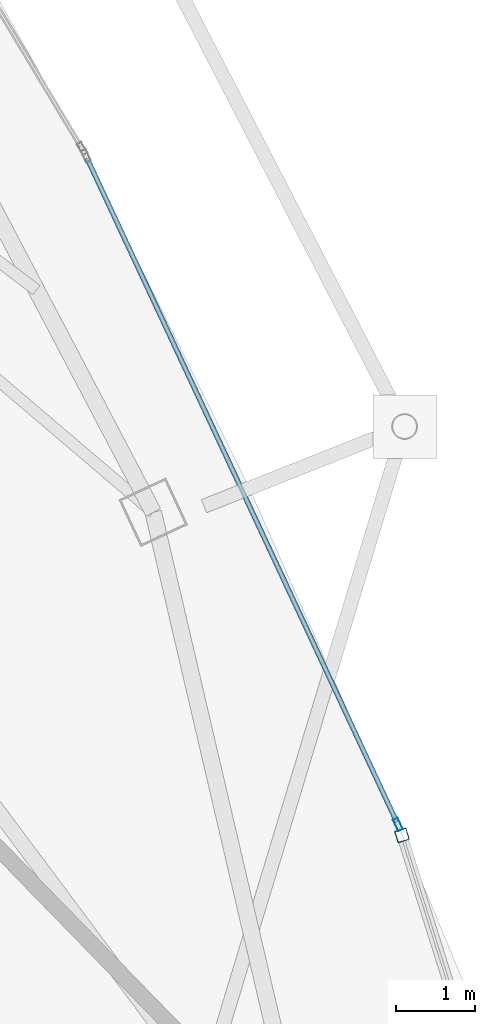
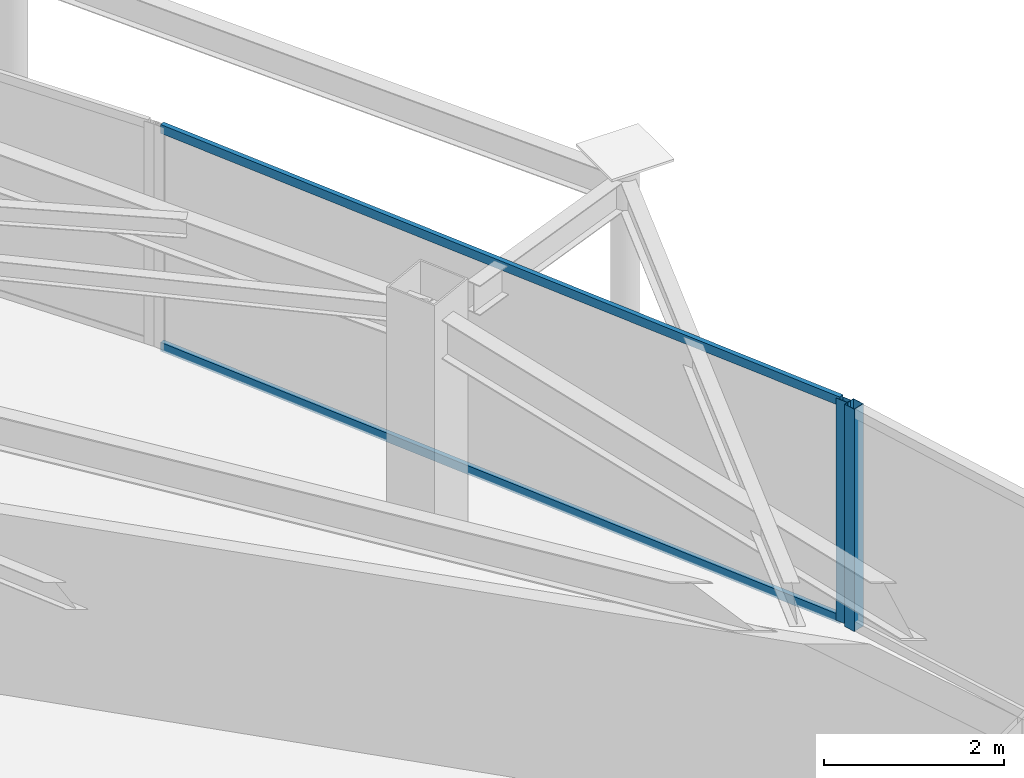
# One storey, part 16 of 30: 4 members, 2 elements without a shape of their own.
"""IFC4 building model written with IfcOpenShell, lengths in metres."""

from ifc_helpers import new_model, si_unit, direction, frame, origin, origin_2d, place, context, subcontext, project, spatial, hollow_rectangle, extrude, material, layer, layer_set, material_profile, profile_set, type_object, element, aggregate, save


model = new_model("IFC4")

# Units and contexts
model_context = context("Model", 3, precision=1e-05, world=origin(), true_north=direction((0.0, 1.0)))
body_context = subcontext(model_context, "Body", "Model", "MODEL_VIEW")
ifc_project = project(units=[si_unit("LENGTHUNIT", "METRE"), si_unit("AREAUNIT", "SQUARE_METRE"), si_unit("VOLUMEUNIT", "CUBIC_METRE"), si_unit("PLANEANGLEUNIT", "RADIAN"), si_unit("MASSUNIT", "GRAM", prefix="KILO")], contexts=[model_context])

# Site, building, storey
site_placement = place(None, origin())
site = spatial("IfcSite", under=ifc_project, at=site_placement, CompositionType="ELEMENT")
building_placement = place(site_placement, origin())
building = spatial("IfcBuilding", under=site, at=building_placement, Name="Orvanel Arch Residences", CompositionType="ELEMENT")
storey_placement = place(building_placement, frame((0.0, 0.0, 273.35009765625)))
storey = spatial("IfcBuildingStorey", under=building, at=storey_placement, Name="L78", CompositionType="ELEMENT", Elevation=273.35009765625)

# Curtain wall, member
ifc_material = material(Name="Bronze-anodised aluminium AA6063-T6", Category="aluminium")
ifc_layer_1 = layer(ifc_material, 0.18994140625)
ifc_layer_set_1 = layer_set([ifc_layer_1], Name="Bronze-anodised aluminium AA6063-T6")
curtain_wall_type_1 = type_object("IfcCurtainWallType", Name="CW5-CRN-SYS", PredefinedType="NOTDEFINED", material=ifc_layer_set_1)
curtain_wall_1_placement = place(storey_placement, origin())
curtain_wall_1 = element("IfcCurtainWall", 1, at=curtain_wall_1_placement, inside=storey, type_object=curtain_wall_type_1, Name="L78 CW5-CRN-SYS Unitised Curtain Wall", PredefinedType="NOTDEFINED")
ifc_material_profile_1 = material_profile(ifc_material, hollow_rectangle(XDim=0.14990234375, YDim=0.14990234375, WallThickness=0.0048828125, at=origin_2d()), Name="ALU150x150x5")
ifc_profile_set_1 = profile_set([ifc_material_profile_1], Name="Bronze-anodised aluminium AA6063-T6")
member_type_1 = type_object("IfcMemberType", Name="MUL-150x150", PredefinedType="MULLION", material=ifc_profile_set_1)
member_1_placement = place(storey_placement, frame((52.765625, 15.572509765625, 0.0), z_axis=(0.0, 0.0, 1.0), x_axis=(-0.953722136358, -0.300689352356, 0.0)))
member_1 = element("IfcMember", 2, at=member_1_placement, type_object=member_type_1, Name="CW-S5 mullion 2", PredefinedType="MULLION", context=body_context, shape_type="SweptSolid", body=[
    extrude(hollow_rectangle(XDim=0.14990234375, YDim=0.14990234375, WallThickness=0.0048828125, at=origin_2d()), origin(), (0.0, 0.0, 1.0), 3.02001953125),
])
aggregate(curtain_wall_1, [member_1])

# Curtain wall, members
ifc_layer_2 = layer(ifc_material, 0.175048828125)
ifc_layer_set_2 = layer_set([ifc_layer_2], Name="Bronze-anodised aluminium AA6063-T6")
curtain_wall_type_2 = type_object("IfcCurtainWallType", Name="CW4-HI-SYS", PredefinedType="NOTDEFINED", material=ifc_layer_set_2)
curtain_wall_2_placement = place(storey_placement, origin())
curtain_wall_2 = element("IfcCurtainWall", 3, at=curtain_wall_2_placement, inside=storey, type_object=curtain_wall_type_2, Name="L78 CW4-HI-SYS Unitised Curtain Wall", PredefinedType="NOTDEFINED")
ifc_material_profile_2 = material_profile(ifc_material, hollow_rectangle(XDim=0.06494140625, YDim=0.159912109375, WallThickness=0.00390625, at=origin_2d()), Name="ALU160x65x4")
ifc_profile_set_2 = profile_set([ifc_material_profile_2], Name="Bronze-anodised aluminium AA6063-T6")
member_type_2 = type_object("IfcMemberType", Name="MUL-160x65", PredefinedType="MULLION", material=ifc_profile_set_2)
member_2_placement = place(storey_placement, frame((52.71533203125, 15.71044921875, 0.0), z_axis=(0.0, 0.0, 1.0), x_axis=(-0.906196789885, -0.422856214336, 0.0)))
member_2 = element("IfcMember", 4, at=member_2_placement, type_object=member_type_2, Name="CW-S4 mullion 1", PredefinedType="MULLION", context=body_context, shape_type="SweptSolid", body=[
    extrude(hollow_rectangle(XDim=0.06494140625, YDim=0.159912109375, WallThickness=0.00390625, at=origin_2d()), origin(), (0.0, 0.0, 1.0), 3.02001953125),
])
ifc_material_profile_3 = material_profile(ifc_material, hollow_rectangle(XDim=0.06005859375, YDim=0.1201171875, WallThickness=0.00341796875, at=origin_2d()), Name="ALU120x60x3.5")
ifc_profile_set_3 = profile_set([ifc_material_profile_3], Name="Bronze-anodised aluminium AA6063-T6")
member_type_3 = type_object("IfcMemberType", Name="TRN-120x60", PredefinedType="USERDEFINED", material=ifc_profile_set_3)
member_3_placement = place(storey_placement, frame((52.701416015625, 15.739990234375, 0.02978515625), z_axis=(-0.422846357809, 0.906201389145, 0.0), x_axis=(-0.906201389145, -0.422846357809, 0.0)))
member_3 = element("IfcMember", 5, at=member_3_placement, type_object=member_type_3, Name="CW-S4 transom 1.1", ObjectType="TRANSOM", PredefinedType="USERDEFINED", context=body_context, shape_type="SweptSolid", body=[
    extrude(hollow_rectangle(XDim=0.06005859375, YDim=0.1201171875, WallThickness=0.00341796875, at=origin_2d()), origin(), (0.0, 0.0, 1.0), 9.2275390625),
])
member_4_placement = place(storey_placement, frame((52.701416015625, 15.739990234375, 2.989990234375), z_axis=(-0.422846357809, 0.906201389145, 0.0), x_axis=(-0.906201389145, -0.422846357809, 0.0)))
member_4 = element("IfcMember", 6, at=member_4_placement, type_object=member_type_3, Name="CW-S4 transom 1.2", ObjectType="TRANSOM", PredefinedType="USERDEFINED", context=body_context, shape_type="SweptSolid", body=[
    extrude(hollow_rectangle(XDim=0.06005859375, YDim=0.1201171875, WallThickness=0.00341796875, at=origin_2d()), origin(), (0.0, 0.0, 1.0), 9.2275390625),
])
aggregate(curtain_wall_2, [member_2, member_3, member_4])

save(model, "model.ifc")
